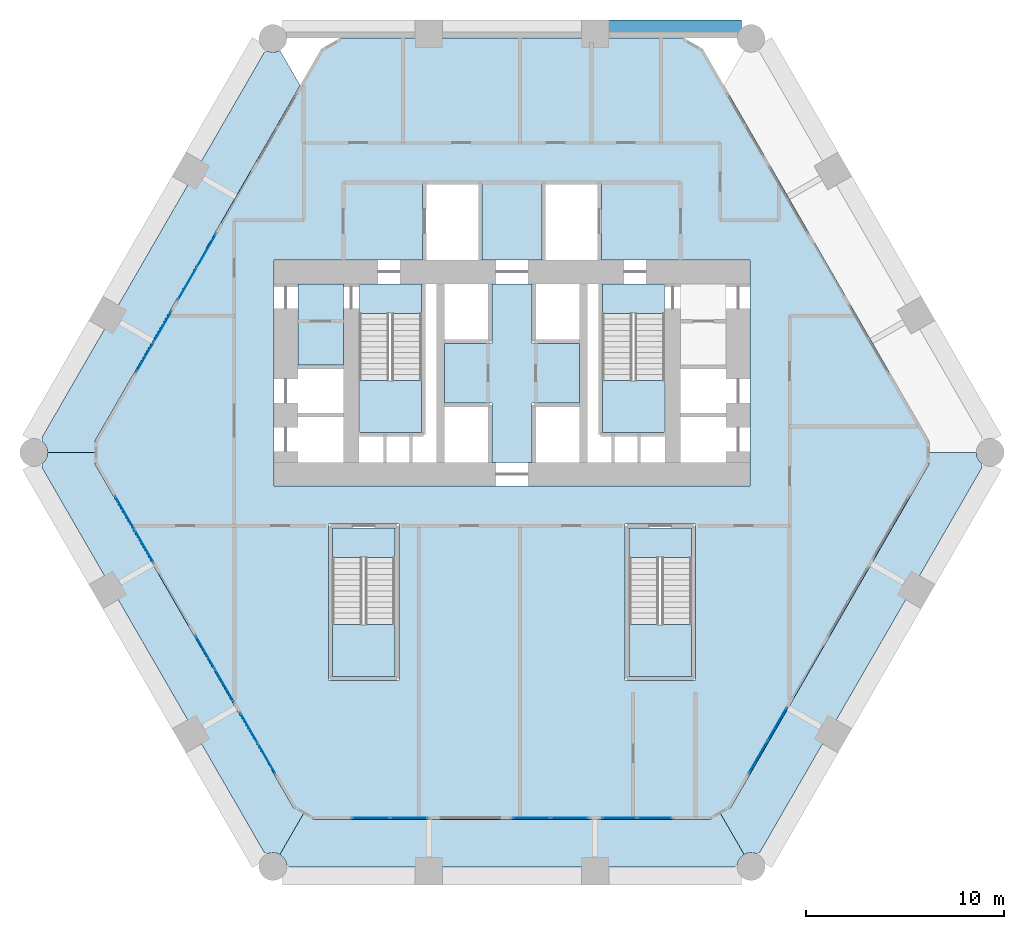
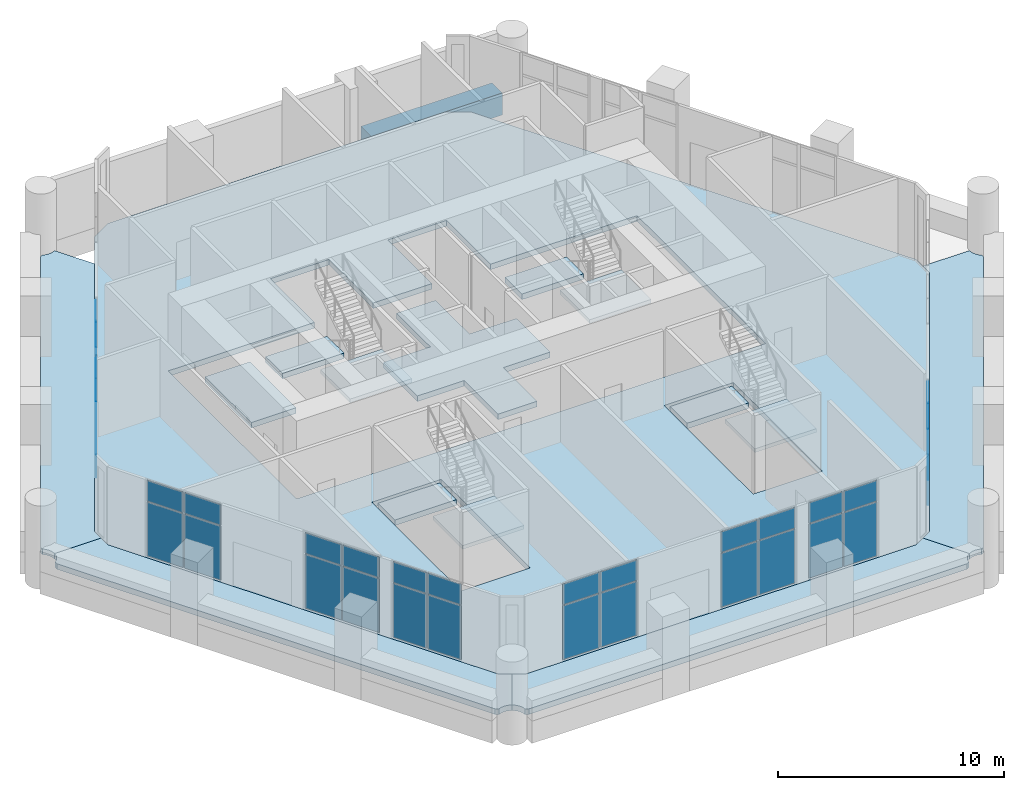
# One storey, part 12 of 18: 36 plates, 15 slabs, 1 beam, 13 elements without a shape of their own.
"""IFC4 building model written with IfcOpenShell, lengths in metres."""

import ifcopenshell
import ifcopenshell.guid

model = None  # the IFC model being written
_history = None  # IfcOwnerHistory: only IFC2X3 demands one
_inside = {}  # id of a spatial element -> (the spatial element, [elements in it])
_under = {}  # id of a project, library or spatial element -> (it, [spatial elements below it])
_declared = {}  # id of a project -> (the project, [libraries it declares])
_typed = {}  # id of a type object -> (the type object, [elements of that type])
_made_of = {}  # id of a material, layer set ... -> (it, [elements and type objects made of it])


def new_model(schema):
    """Start an empty IFC model of exactly this schema.

    Asked for "IFC4X3", IfcOpenShell would pick the latest addendum, in which some entities
    have other attributes; the version numbers below select the first issue.
    IFC2X3 requires an IfcOwnerHistory on every rooted entity: one is made here for all.
    """
    global model, _history
    if schema == "IFC4X3":
        model = ifcopenshell.file(schema_version=(4, 3, 0, 0))
    else:
        model = ifcopenshell.file(schema=schema)
    _inside.clear()
    _under.clear()
    _declared.clear()
    _typed.clear()
    _made_of.clear()
    _history = None
    if model.schema == "IFC2X3":
        org = make("IfcOrganization", Name="unknown")
        user = make(
            "IfcPersonAndOrganization",
            ThePerson=make("IfcPerson", FamilyName="unknown"),
            TheOrganization=org,
        )
        app = make(
            "IfcApplication",
            ApplicationDeveloper=org,
            Version="unknown",
            ApplicationFullName="unknown",
            ApplicationIdentifier="unknown",
        )
        _history = make(
            "IfcOwnerHistory",
            OwningUser=user,
            OwningApplication=app,
            ChangeAction="ADDED",
            CreationDate=0,
        )
    return model


def make(cls, **values):
    """One entity of the class cls with the attributes given. An attribute that is None is left unset."""
    return model.create_entity(
        cls, **{name: value for name, value in values.items() if value is not None}
    )


def rooted(cls, **values):
    """An entity with a GlobalId (a new one), such as an element, a storey or a relation."""
    return make(cls, GlobalId=ifcopenshell.guid.new(), OwnerHistory=_history, **values)


def si_unit(unit_type, name, prefix=None):
    """IfcSIUnit, for example si_unit("LENGTHUNIT", "METRE", prefix="MILLI")."""
    return make("IfcSIUnit", UnitType=unit_type, Prefix=prefix, Name=name)


def assignment(units):
    """IfcUnitAssignment: the units of a project."""
    return None if units is None else make("IfcUnitAssignment", Units=units)


def point(xyz):
    """IfcCartesianPoint."""
    return None if xyz is None else make("IfcCartesianPoint", Coordinates=xyz)


def direction(xyz):
    """IfcDirection."""
    return None if xyz is None else make("IfcDirection", DirectionRatios=xyz)


def frame(location, z_axis=None, x_axis=None):
    """IfcAxis2Placement3D, a coordinate frame: its origin and axes. An axis left out is left unset."""
    return make(
        "IfcAxis2Placement3D",
        Location=point(location),
        Axis=direction(z_axis),
        RefDirection=direction(x_axis),
    )


def frame_2d(location, x_axis=None):
    """IfcAxis2Placement2D, a coordinate frame in the plane: its origin and x axis."""
    return make(
        "IfcAxis2Placement2D", Location=point(location), RefDirection=direction(x_axis)
    )


def origin():
    """The frame at (0, 0, 0) with its axes left unset."""
    return frame((0.0, 0.0, 0.0))


def origin_2d():
    """The frame at (0, 0) in the plane with its x axis left unset."""
    return frame_2d((0.0, 0.0))


def place(relative_to, where):
    """IfcLocalPlacement: puts the frame where relative to a parent placement (None: the world)."""
    return make(
        "IfcLocalPlacement", PlacementRelTo=relative_to, RelativePlacement=where
    )


def context(
    kind, dimensions, precision=None, world=None, true_north=None, identifier=None
):
    """IfcGeometricRepresentationContext, for example the 3D "Model" context."""
    return make(
        "IfcGeometricRepresentationContext",
        ContextIdentifier=identifier,
        ContextType=kind,
        CoordinateSpaceDimension=dimensions,
        Precision=precision,
        WorldCoordinateSystem=world,
        TrueNorth=true_north,
    )


def subcontext(parent, identifier, kind, view, scale=None):
    """IfcGeometricRepresentationSubContext, for example "Body" below "Model"."""
    return make(
        "IfcGeometricRepresentationSubContext",
        ContextIdentifier=identifier,
        ContextType=kind,
        ParentContext=parent,
        TargetScale=scale,
        TargetView=view,
    )


def project(units=None, contexts=None):
    """IfcProject with its units and contexts."""
    return rooted(
        "IfcProject",
        Name="project",
        RepresentationContexts=contexts,
        UnitsInContext=assignment(units),
    )


def spatial(cls, under=None, at=None, **own):
    """A site, building, storey or space (cls), placed at a placement, below another one or the project."""
    s = rooted(cls, ObjectPlacement=at, **own)
    if under is not None:
        _under.setdefault(under.id(), (under, []))[1].append(s)
    return s


def polyline(points):
    """IfcPolyline through the points."""
    return make("IfcPolyline", Points=[point(p) for p in points])


def profile(cls, at=None, kind="AREA", **sizes):
    """A parametric profile (cls). Its sizes go by their IFC names, for example OverallWidth=200.0."""
    return make(cls, ProfileType=kind, Position=at, **sizes)


def rectangle(**sizes):
    """IfcRectangleProfileDef."""
    return profile("IfcRectangleProfileDef", **sizes)


def outline(outer, holes=None, kind="AREA"):
    """IfcArbitraryClosedProfileDef: a profile drawn as a closed curve; with holes, ...WithVoids."""
    if holes is None:
        return make("IfcArbitraryClosedProfileDef", ProfileType=kind, OuterCurve=outer)
    return make(
        "IfcArbitraryProfileDefWithVoids",
        ProfileType=kind,
        OuterCurve=outer,
        InnerCurves=holes,
    )


def extrude(swept, where, along, depth):
    """IfcExtrudedAreaSolid: the profile swept, set in the frame where, extruded along a direction by depth."""
    return make(
        "IfcExtrudedAreaSolid",
        SweptArea=swept,
        Position=where,
        ExtrudedDirection=direction(along),
        Depth=depth,
    )


def shape(context_of_items, identifier, shape_type, items):
    """IfcShapeRepresentation: the items that make up one representation, for example the "Body"."""
    return make(
        "IfcShapeRepresentation",
        ContextOfItems=context_of_items,
        RepresentationIdentifier=identifier,
        RepresentationType=shape_type,
        Items=items,
    )


def material(Name=None, Category=None):
    """IfcMaterial."""
    return make("IfcMaterial", Name=Name, Category=Category)


def layer(
    of_material, thickness, ventilated=None, Name=None, Category=None, Priority=None
):
    """IfcMaterialLayer: one layer of a wall or slab, of a material (None: an air gap)."""
    return make(
        "IfcMaterialLayer",
        Material=of_material,
        LayerThickness=thickness,
        IsVentilated=ventilated,
        Name=Name,
        Category=Category,
        Priority=Priority,
    )


def layer_set(layers, Name=None):
    """IfcMaterialLayerSet."""
    return make("IfcMaterialLayerSet", MaterialLayers=layers, LayerSetName=Name)


def material_profile(
    of_material, cross_section, Name=None, Category=None, Priority=None
):
    """IfcMaterialProfile: a cross section and its material."""
    return make(
        "IfcMaterialProfile",
        Name=Name,
        Material=of_material,
        Profile=cross_section,
        Priority=Priority,
        Category=Category,
    )


def profile_set(profiles, Name=None, composite=None):
    """IfcMaterialProfileSet."""
    return make(
        "IfcMaterialProfileSet",
        Name=Name,
        MaterialProfiles=profiles,
        CompositeProfile=composite,
    )


def made_of(thing, what):
    """Note that an element or type object is made of a material, layer set ...; save() writes the relation."""
    if what is not None:
        _made_of.setdefault(what.id(), (what, []))[1].append(thing)
    return thing


def type_object(cls, material=None, **own):
    """A type object (cls), such as IfcWallType, which elements share."""
    return made_of(rooted(cls, **own), material)


def element(
    cls,
    number,
    at=None,
    inside=None,
    cuts=None,
    type_object=None,
    material=None,
    context=None,
    identifier="Body",
    shape_type=None,
    held_by="IfcProductDefinitionShape",
    body=None,
    shapes=None,
    **own,
):
    """One element of the class cls, such as IfcWall. Its Tag is "e" and its number.

    at: its placement. inside: the storey or other place that contains it. cuts: it is an
    opening in that element (IfcRelVoidsElement). A single representation is given by context,
    identifier, shape_type and body (its items); several are given by shapes. held_by: the class
    of the entity that holds the representations. save() writes the other relations.
    """
    e = rooted(cls, Tag="e%d" % number, ObjectPlacement=at, **own)
    if body is not None:
        shapes = [shape(context, identifier, shape_type, body)]
    if shapes is not None:
        e.Representation = make(held_by, Representations=shapes)
    if inside is not None:
        _inside.setdefault(inside.id(), (inside, []))[1].append(e)
    if cuts is not None:
        rooted(
            "IfcRelVoidsElement", RelatingBuildingElement=cuts, RelatedOpeningElement=e
        )
    if type_object is not None:
        _typed.setdefault(type_object.id(), (type_object, []))[1].append(e)
    return made_of(e, material)


def aggregate(whole, parts):
    """IfcRelAggregates: a whole, such as a stair, and the parts it consists of."""
    return rooted("IfcRelAggregates", RelatingObject=whole, RelatedObjects=parts)


def save(model, path):
    """Write the relations noted so far, then the file.

    IfcRelAggregates (storeys below a building ...), IfcRelContainedInSpatialStructure (elements
    in a storey), IfcRelDefinesByType, IfcRelAssociatesMaterial and IfcRelDeclares: one each for
    every whole, place, type object, material and project.
    """
    for whole, parts in _under.values():
        aggregate(whole, parts)
    for where, things in _inside.values():
        rooted(
            "IfcRelContainedInSpatialStructure",
            RelatedElements=things,
            RelatingStructure=where,
        )
    for kind, things in _typed.values():
        rooted("IfcRelDefinesByType", RelatedObjects=things, RelatingType=kind)
    for what, things in _made_of.values():
        rooted("IfcRelAssociatesMaterial", RelatedObjects=things, RelatingMaterial=what)
    for by, libraries in _declared.values():
        rooted("IfcRelDeclares", RelatingContext=by, RelatedDefinitions=libraries)
    model.write(path)


model = new_model("IFC4")

# Units and contexts
model_context = context("Model", 3, precision=1e-05, world=origin(), true_north=direction((0.0, 1.0)))
body_context = subcontext(model_context, "Body", "Model", "MODEL_VIEW")
ifc_project = project(units=[si_unit("LENGTHUNIT", "METRE"), si_unit("AREAUNIT", "SQUARE_METRE"), si_unit("VOLUMEUNIT", "CUBIC_METRE"), si_unit("PLANEANGLEUNIT", "RADIAN"), si_unit("MASSUNIT", "GRAM", prefix="KILO")], contexts=[model_context])

# Site, building, storey
site_placement = place(None, origin())
site = spatial("IfcSite", under=ifc_project, at=site_placement, CompositionType="ELEMENT")
building_placement = place(site_placement, origin())
building = spatial("IfcBuilding", under=site, at=building_placement, Name="Ostrander Bayou Hotel Tower", CompositionType="ELEMENT")
storey_placement = place(building_placement, frame((0.0, 0.0, 14.5)))
storey = spatial("IfcBuildingStorey", under=building, at=storey_placement, Name="L03", CompositionType="ELEMENT", Elevation=14.5)

# Beam
ifc_material_1 = material(Name="Concrete f'c 70 MPa", Category="concrete")
ifc_material_profile = material_profile(ifc_material_1, rectangle(XDim=0.89990234375, YDim=1.199951171875, at=origin_2d()))
ifc_profile_set = profile_set([ifc_material_profile], Name="Concrete f'c 70 MPa")
beam_type = type_object("IfcBeamType", Name="SP1 spandrel beam 900 x 1200 mm f'c 70 MPa", PredefinedType="SPANDREL", material=ifc_profile_set)
beam_placement = place(storey_placement, frame((11.569091796875, 21.35009765625, -0.60009765625), z_axis=(-1.0, 0.0, 0.0), x_axis=(0.0, -1.0, 0.0)))
element("IfcBeam", 1, at=beam_placement, inside=storey, type_object=beam_type, Name="SP1 L03 N-1", PredefinedType="SPANDREL", context=body_context, shape_type="SweptSolid", body=[
    extrude(rectangle(XDim=0.89990234375, YDim=1.199951171875, at=origin_2d()), origin(), (0.0, 0.0, 1.0), 6.70361328125),
])

# Curtain wall, plates
ifc_material_2 = material(Name="Aluminium and clear glass", Category="aluminium")
curtain_wall_type = type_object("IfcCurtainWallType", Name="CW-SKY amenity glass wall", PredefinedType="NOTDEFINED", material=ifc_material_2)
curtain_wall_1_placement = place(storey_placement, origin())
curtain_wall_1 = element("IfcCurtainWall", 2, at=curtain_wall_1_placement, inside=storey, type_object=curtain_wall_type, Name="CW-SKY L03 NW 3", PredefinedType="NOTDEFINED")
ifc_material_3 = material(Name="Clear laminated glass", Category="glass")
ifc_layer_1 = layer(ifc_material_3, 0.028076171875)
ifc_layer_set_1 = layer_set([ifc_layer_1], Name="CW-SK glazing panel 28 mm")
plate_type = type_object("IfcPlateType", Name="CW-SK glazing panel 28 mm", PredefinedType="CURTAIN_PANEL", material=ifc_layer_set_1)
plate_1_placement = place(storey_placement, frame((-15.401611328125, 10.173828125, 0.06005859375), z_axis=(0.0, 0.0, 1.0), x_axis=(-0.499999897278, -0.866025463091, 0.0)))
plate_1 = element("IfcPlate", 3, at=plate_1_placement, type_object=plate_type, Name="CW-SKY panel 1.1", PredefinedType="CURTAIN_PANEL", context=body_context, shape_type="SweptSolid", body=[
    extrude(rectangle(XDim=1.860107421875, YDim=0.028076171875, at=origin_2d()), origin(), (0.0, 0.0, 1.0), 2.909912109375),
])
plate_2_placement = place(storey_placement, frame((-15.401611328125, 10.173828125, 3.02978515625), z_axis=(0.0, 0.0, 1.0), x_axis=(-0.499999897278, -0.866025463091, 0.0)))
plate_2 = element("IfcPlate", 4, at=plate_2_placement, type_object=plate_type, Name="CW-SKY panel 1.2", PredefinedType="CURTAIN_PANEL", context=body_context, shape_type="SweptSolid", body=[
    extrude(rectangle(XDim=1.860107421875, YDim=0.028076171875, at=origin_2d()), origin(), (0.0, 0.0, 1.0), 1.110107421875),
])
plate_3_placement = place(storey_placement, frame((-16.361572265625, 8.510986328125, 0.06005859375), z_axis=(0.0, 0.0, 1.0), x_axis=(-0.499999897278, -0.866025463091, 0.0)))
plate_3 = element("IfcPlate", 5, at=plate_3_placement, type_object=plate_type, Name="CW-SKY panel 2.1", PredefinedType="CURTAIN_PANEL", context=body_context, shape_type="SweptSolid", body=[
    extrude(rectangle(XDim=1.860107421875, YDim=0.028076171875, at=origin_2d()), origin(), (0.0, 0.0, 1.0), 2.909912109375),
])
plate_4_placement = place(storey_placement, frame((-16.361572265625, 8.510986328125, 3.02978515625), z_axis=(0.0, 0.0, 1.0), x_axis=(-0.499999897278, -0.866025463091, 0.0)))
plate_4 = element("IfcPlate", 6, at=plate_4_placement, type_object=plate_type, Name="CW-SKY panel 2.2", PredefinedType="CURTAIN_PANEL", context=body_context, shape_type="SweptSolid", body=[
    extrude(rectangle(XDim=1.860107421875, YDim=0.028076171875, at=origin_2d()), origin(), (0.0, 0.0, 1.0), 1.110107421875),
])
aggregate(curtain_wall_1, [plate_1, plate_2, plate_3, plate_4])

curtain_wall_2_placement = place(storey_placement, origin())
curtain_wall_2 = element("IfcCurtainWall", 7, at=curtain_wall_2_placement, inside=storey, type_object=curtain_wall_type, Name="CW-SKY L03 NW 4", PredefinedType="NOTDEFINED")
plate_5_placement = place(storey_placement, frame((-17.614013671875, 6.341552734375, 0.06005859375), z_axis=(0.0, 0.0, 1.0), x_axis=(-0.499998972029, -0.866025997283, 0.0)))
plate_5 = element("IfcPlate", 8, at=plate_5_placement, type_object=plate_type, Name="CW-SKY panel 1.1", PredefinedType="CURTAIN_PANEL", context=body_context, shape_type="SweptSolid", body=[
    extrude(rectangle(XDim=1.7099609375, YDim=0.028076171875, at=origin_2d()), origin(), (0.0, 0.0, 1.0), 2.909912109375),
])
plate_6_placement = place(storey_placement, frame((-17.614013671875, 6.341552734375, 3.02978515625), z_axis=(0.0, 0.0, 1.0), x_axis=(-0.499998972029, -0.866025997283, 0.0)))
plate_6 = element("IfcPlate", 9, at=plate_6_placement, type_object=plate_type, Name="CW-SKY panel 1.2", PredefinedType="CURTAIN_PANEL", context=body_context, shape_type="SweptSolid", body=[
    extrude(rectangle(XDim=1.7099609375, YDim=0.028076171875, at=origin_2d()), origin(), (0.0, 0.0, 1.0), 1.110107421875),
])
plate_7_placement = place(storey_placement, frame((-18.4990234375, 4.80859375, 0.06005859375), z_axis=(0.0, 0.0, 1.0), x_axis=(-0.499998972029, -0.866025997283, 0.0)))
plate_7 = element("IfcPlate", 10, at=plate_7_placement, type_object=plate_type, Name="CW-SKY panel 2.1", PredefinedType="CURTAIN_PANEL", context=body_context, shape_type="SweptSolid", body=[
    extrude(rectangle(XDim=1.7099609375, YDim=0.028076171875, at=origin_2d()), origin(), (0.0, 0.0, 1.0), 2.909912109375),
])
plate_8_placement = place(storey_placement, frame((-18.4990234375, 4.80859375, 3.02978515625), z_axis=(0.0, 0.0, 1.0), x_axis=(-0.499998972029, -0.866025997283, 0.0)))
plate_8 = element("IfcPlate", 11, at=plate_8_placement, type_object=plate_type, Name="CW-SKY panel 2.2", PredefinedType="CURTAIN_PANEL", context=body_context, shape_type="SweptSolid", body=[
    extrude(rectangle(XDim=1.7099609375, YDim=0.028076171875, at=origin_2d()), origin(), (0.0, 0.0, 1.0), 1.110107421875),
])
aggregate(curtain_wall_2, [plate_5, plate_6, plate_7, plate_8])

curtain_wall_3_placement = place(storey_placement, origin())
curtain_wall_3 = element("IfcCurtainWall", 12, at=curtain_wall_3_placement, inside=storey, type_object=curtain_wall_type, Name="CW-SKY L03 SW 1", PredefinedType="NOTDEFINED")
plate_9_placement = place(storey_placement, frame((-19.511474609375, -3.05517578125, 0.06005859375), z_axis=(0.0, 0.0, 1.0), x_axis=(0.499999897278, -0.866025463091, 0.0)))
plate_9 = element("IfcPlate", 13, at=plate_9_placement, type_object=plate_type, Name="CW-SKY panel 1.1", PredefinedType="CURTAIN_PANEL", context=body_context, shape_type="SweptSolid", body=[
    extrude(rectangle(XDim=1.860107421875, YDim=0.028076171875, at=origin_2d()), origin(), (0.0, 0.0, 1.0), 2.909912109375),
])
plate_10_placement = place(storey_placement, frame((-19.511474609375, -3.05517578125, 3.02978515625), z_axis=(0.0, 0.0, 1.0), x_axis=(0.499999897278, -0.866025463091, 0.0)))
plate_10 = element("IfcPlate", 14, at=plate_10_placement, type_object=plate_type, Name="CW-SKY panel 1.2", PredefinedType="CURTAIN_PANEL", context=body_context, shape_type="SweptSolid", body=[
    extrude(rectangle(XDim=1.860107421875, YDim=0.028076171875, at=origin_2d()), origin(), (0.0, 0.0, 1.0), 1.110107421875),
])
plate_11_placement = place(storey_placement, frame((-18.551513671875, -4.7177734375, 0.06005859375), z_axis=(0.0, 0.0, 1.0), x_axis=(0.499999897278, -0.866025463091, 0.0)))
plate_11 = element("IfcPlate", 15, at=plate_11_placement, type_object=plate_type, Name="CW-SKY panel 2.1", PredefinedType="CURTAIN_PANEL", context=body_context, shape_type="SweptSolid", body=[
    extrude(rectangle(XDim=1.860107421875, YDim=0.028076171875, at=origin_2d()), origin(), (0.0, 0.0, 1.0), 2.909912109375),
])
plate_12_placement = place(storey_placement, frame((-18.551513671875, -4.7177734375, 3.02978515625), z_axis=(0.0, 0.0, 1.0), x_axis=(0.499999897278, -0.866025463091, 0.0)))
plate_12 = element("IfcPlate", 16, at=plate_12_placement, type_object=plate_type, Name="CW-SKY panel 2.2", PredefinedType="CURTAIN_PANEL", context=body_context, shape_type="SweptSolid", body=[
    extrude(rectangle(XDim=1.860107421875, YDim=0.028076171875, at=origin_2d()), origin(), (0.0, 0.0, 1.0), 1.110107421875),
])
aggregate(curtain_wall_3, [plate_9, plate_10, plate_11, plate_12])

curtain_wall_4_placement = place(storey_placement, origin())
curtain_wall_4 = element("IfcCurtainWall", 17, at=curtain_wall_4_placement, inside=storey, type_object=curtain_wall_type, Name="CW-SKY L03 SW 3", PredefinedType="NOTDEFINED")
plate_13_placement = place(storey_placement, frame((-15.46142578125, -10.06982421875, 0.06005859375), z_axis=(0.0, 0.0, 1.0), x_axis=(0.499999897278, -0.866025463091, 0.0)))
plate_13 = element("IfcPlate", 18, at=plate_13_placement, type_object=plate_type, Name="CW-SKY panel 1.1", PredefinedType="CURTAIN_PANEL", context=body_context, shape_type="SweptSolid", body=[
    extrude(rectangle(XDim=1.860107421875, YDim=0.028076171875, at=origin_2d()), origin(), (0.0, 0.0, 1.0), 2.909912109375),
])
plate_14_placement = place(storey_placement, frame((-15.46142578125, -10.06982421875, 3.02978515625), z_axis=(0.0, 0.0, 1.0), x_axis=(0.499999897278, -0.866025463091, 0.0)))
plate_14 = element("IfcPlate", 19, at=plate_14_placement, type_object=plate_type, Name="CW-SKY panel 1.2", PredefinedType="CURTAIN_PANEL", context=body_context, shape_type="SweptSolid", body=[
    extrude(rectangle(XDim=1.860107421875, YDim=0.028076171875, at=origin_2d()), origin(), (0.0, 0.0, 1.0), 1.110107421875),
])
plate_15_placement = place(storey_placement, frame((-14.50146484375, -11.732666015625, 0.06005859375), z_axis=(0.0, 0.0, 1.0), x_axis=(0.499999897278, -0.866025463091, 0.0)))
plate_15 = element("IfcPlate", 20, at=plate_15_placement, type_object=plate_type, Name="CW-SKY panel 2.1", PredefinedType="CURTAIN_PANEL", context=body_context, shape_type="SweptSolid", body=[
    extrude(rectangle(XDim=1.860107421875, YDim=0.028076171875, at=origin_2d()), origin(), (0.0, 0.0, 1.0), 2.909912109375),
])
plate_16_placement = place(storey_placement, frame((-14.50146484375, -11.732666015625, 3.02978515625), z_axis=(0.0, 0.0, 1.0), x_axis=(0.499999897278, -0.866025463091, 0.0)))
plate_16 = element("IfcPlate", 21, at=plate_16_placement, type_object=plate_type, Name="CW-SKY panel 2.2", PredefinedType="CURTAIN_PANEL", context=body_context, shape_type="SweptSolid", body=[
    extrude(rectangle(XDim=1.860107421875, YDim=0.028076171875, at=origin_2d()), origin(), (0.0, 0.0, 1.0), 1.110107421875),
])
aggregate(curtain_wall_4, [plate_13, plate_14, plate_15, plate_16])

curtain_wall_5_placement = place(storey_placement, origin())
curtain_wall_5 = element("IfcCurtainWall", 22, at=curtain_wall_5_placement, inside=storey, type_object=curtain_wall_type, Name="CW-SKY L03 SW 4", PredefinedType="NOTDEFINED")
plate_17_placement = place(storey_placement, frame((-13.2490234375, -13.902099609375, 0.06005859375), z_axis=(0.0, 0.0, 1.0), x_axis=(0.499998972029, -0.866025997283, 0.0)))
plate_17 = element("IfcPlate", 23, at=plate_17_placement, type_object=plate_type, Name="CW-SKY panel 1.1", PredefinedType="CURTAIN_PANEL", context=body_context, shape_type="SweptSolid", body=[
    extrude(rectangle(XDim=1.7099609375, YDim=0.028076171875, at=origin_2d()), origin(), (0.0, 0.0, 1.0), 2.909912109375),
])
plate_18_placement = place(storey_placement, frame((-13.2490234375, -13.902099609375, 3.02978515625), z_axis=(0.0, 0.0, 1.0), x_axis=(0.499998972029, -0.866025997283, 0.0)))
plate_18 = element("IfcPlate", 24, at=plate_18_placement, type_object=plate_type, Name="CW-SKY panel 1.2", PredefinedType="CURTAIN_PANEL", context=body_context, shape_type="SweptSolid", body=[
    extrude(rectangle(XDim=1.7099609375, YDim=0.028076171875, at=origin_2d()), origin(), (0.0, 0.0, 1.0), 1.110107421875),
])
plate_19_placement = place(storey_placement, frame((-12.364013671875, -15.434814453125, 0.06005859375), z_axis=(0.0, 0.0, 1.0), x_axis=(0.499998972029, -0.866025997283, 0.0)))
plate_19 = element("IfcPlate", 25, at=plate_19_placement, type_object=plate_type, Name="CW-SKY panel 2.1", PredefinedType="CURTAIN_PANEL", context=body_context, shape_type="SweptSolid", body=[
    extrude(rectangle(XDim=1.7099609375, YDim=0.028076171875, at=origin_2d()), origin(), (0.0, 0.0, 1.0), 2.909912109375),
])
plate_20_placement = place(storey_placement, frame((-12.364013671875, -15.434814453125, 3.02978515625), z_axis=(0.0, 0.0, 1.0), x_axis=(0.499998972029, -0.866025997283, 0.0)))
plate_20 = element("IfcPlate", 26, at=plate_20_placement, type_object=plate_type, Name="CW-SKY panel 2.2", PredefinedType="CURTAIN_PANEL", context=body_context, shape_type="SweptSolid", body=[
    extrude(rectangle(XDim=1.7099609375, YDim=0.028076171875, at=origin_2d()), origin(), (0.0, 0.0, 1.0), 1.110107421875),
])
aggregate(curtain_wall_5, [plate_17, plate_18, plate_19, plate_20])

curtain_wall_6_placement = place(storey_placement, origin())
curtain_wall_6 = element("IfcCurtainWall", 27, at=curtain_wall_6_placement, inside=storey, type_object=curtain_wall_type, Name="CW-SKY L03 S 1", PredefinedType="NOTDEFINED")
plate_21_placement = place(storey_placement, frame((-7.110107421875, -18.425048828125, 0.06005859375), z_axis=(0.0, 0.0, 1.0), x_axis=(1.0, 0.0, 0.0)))
plate_21 = element("IfcPlate", 28, at=plate_21_placement, type_object=plate_type, Name="CW-SKY panel 1.1", PredefinedType="CURTAIN_PANEL", context=body_context, shape_type="SweptSolid", body=[
    extrude(rectangle(XDim=1.860107421875, YDim=0.028076171875, at=origin_2d()), origin(), (0.0, 0.0, 1.0), 2.909912109375),
])
plate_22_placement = place(storey_placement, frame((-7.110107421875, -18.425048828125, 3.02978515625), z_axis=(0.0, 0.0, 1.0), x_axis=(1.0, 0.0, 0.0)))
plate_22 = element("IfcPlate", 29, at=plate_22_placement, type_object=plate_type, Name="CW-SKY panel 1.2", PredefinedType="CURTAIN_PANEL", context=body_context, shape_type="SweptSolid", body=[
    extrude(rectangle(XDim=1.860107421875, YDim=0.028076171875, at=origin_2d()), origin(), (0.0, 0.0, 1.0), 1.110107421875),
])
plate_23_placement = place(storey_placement, frame((-5.18994140625, -18.425048828125, 0.06005859375), z_axis=(0.0, 0.0, 1.0), x_axis=(1.0, 0.0, 0.0)))
plate_23 = element("IfcPlate", 30, at=plate_23_placement, type_object=plate_type, Name="CW-SKY panel 2.1", PredefinedType="CURTAIN_PANEL", context=body_context, shape_type="SweptSolid", body=[
    extrude(rectangle(XDim=1.860107421875, YDim=0.028076171875, at=origin_2d()), origin(), (0.0, 0.0, 1.0), 2.909912109375),
])
plate_24_placement = place(storey_placement, frame((-5.18994140625, -18.425048828125, 3.02978515625), z_axis=(0.0, 0.0, 1.0), x_axis=(1.0, 0.0, 0.0)))
plate_24 = element("IfcPlate", 31, at=plate_24_placement, type_object=plate_type, Name="CW-SKY panel 2.2", PredefinedType="CURTAIN_PANEL", context=body_context, shape_type="SweptSolid", body=[
    extrude(rectangle(XDim=1.860107421875, YDim=0.028076171875, at=origin_2d()), origin(), (0.0, 0.0, 1.0), 1.110107421875),
])
aggregate(curtain_wall_6, [plate_21, plate_22, plate_23, plate_24])

curtain_wall_7_placement = place(storey_placement, origin())
curtain_wall_7 = element("IfcCurtainWall", 32, at=curtain_wall_7_placement, inside=storey, type_object=curtain_wall_type, Name="CW-SKY L03 S 3", PredefinedType="NOTDEFINED")
plate_25_placement = place(storey_placement, frame((0.989990234375, -18.425048828125, 0.06005859375), z_axis=(0.0, 0.0, 1.0), x_axis=(1.0, 0.0, 0.0)))
plate_25 = element("IfcPlate", 33, at=plate_25_placement, type_object=plate_type, Name="CW-SKY panel 1.1", PredefinedType="CURTAIN_PANEL", context=body_context, shape_type="SweptSolid", body=[
    extrude(rectangle(XDim=1.860107421875, YDim=0.028076171875, at=origin_2d()), origin(), (0.0, 0.0, 1.0), 2.909912109375),
])
plate_26_placement = place(storey_placement, frame((0.989990234375, -18.425048828125, 3.02978515625), z_axis=(0.0, 0.0, 1.0), x_axis=(1.0, 0.0, 0.0)))
plate_26 = element("IfcPlate", 34, at=plate_26_placement, type_object=plate_type, Name="CW-SKY panel 1.2", PredefinedType="CURTAIN_PANEL", context=body_context, shape_type="SweptSolid", body=[
    extrude(rectangle(XDim=1.860107421875, YDim=0.028076171875, at=origin_2d()), origin(), (0.0, 0.0, 1.0), 1.110107421875),
])
plate_27_placement = place(storey_placement, frame((2.909912109375, -18.425048828125, 0.06005859375), z_axis=(0.0, 0.0, 1.0), x_axis=(1.0, 0.0, 0.0)))
plate_27 = element("IfcPlate", 35, at=plate_27_placement, type_object=plate_type, Name="CW-SKY panel 2.1", PredefinedType="CURTAIN_PANEL", context=body_context, shape_type="SweptSolid", body=[
    extrude(rectangle(XDim=1.860107421875, YDim=0.028076171875, at=origin_2d()), origin(), (0.0, 0.0, 1.0), 2.909912109375),
])
plate_28_placement = place(storey_placement, frame((2.909912109375, -18.425048828125, 3.02978515625), z_axis=(0.0, 0.0, 1.0), x_axis=(1.0, 0.0, 0.0)))
plate_28 = element("IfcPlate", 36, at=plate_28_placement, type_object=plate_type, Name="CW-SKY panel 2.2", PredefinedType="CURTAIN_PANEL", context=body_context, shape_type="SweptSolid", body=[
    extrude(rectangle(XDim=1.860107421875, YDim=0.028076171875, at=origin_2d()), origin(), (0.0, 0.0, 1.0), 1.110107421875),
])
aggregate(curtain_wall_7, [plate_25, plate_26, plate_27, plate_28])

curtain_wall_8_placement = place(storey_placement, origin())
curtain_wall_8 = element("IfcCurtainWall", 37, at=curtain_wall_8_placement, inside=storey, type_object=curtain_wall_type, Name="CW-SKY L03 S 4", PredefinedType="NOTDEFINED")
plate_29_placement = place(storey_placement, frame((5.4150390625, -18.425048828125, 0.06005859375), z_axis=(0.0, 0.0, 1.0), x_axis=(1.0, 0.0, 0.0)))
plate_29 = element("IfcPlate", 38, at=plate_29_placement, type_object=plate_type, Name="CW-SKY panel 1.1", PredefinedType="CURTAIN_PANEL", context=body_context, shape_type="SweptSolid", body=[
    extrude(rectangle(XDim=1.7099609375, YDim=0.028076171875, at=origin_2d()), origin(), (0.0, 0.0, 1.0), 2.909912109375),
])
plate_30_placement = place(storey_placement, frame((5.4150390625, -18.425048828125, 3.02978515625), z_axis=(0.0, 0.0, 1.0), x_axis=(1.0, 0.0, 0.0)))
plate_30 = element("IfcPlate", 39, at=plate_30_placement, type_object=plate_type, Name="CW-SKY panel 1.2", PredefinedType="CURTAIN_PANEL", context=body_context, shape_type="SweptSolid", body=[
    extrude(rectangle(XDim=1.7099609375, YDim=0.028076171875, at=origin_2d()), origin(), (0.0, 0.0, 1.0), 1.110107421875),
])
plate_31_placement = place(storey_placement, frame((7.18505859375, -18.425048828125, 0.06005859375), z_axis=(0.0, 0.0, 1.0), x_axis=(1.0, 0.0, 0.0)))
plate_31 = element("IfcPlate", 40, at=plate_31_placement, type_object=plate_type, Name="CW-SKY panel 2.1", PredefinedType="CURTAIN_PANEL", context=body_context, shape_type="SweptSolid", body=[
    extrude(rectangle(XDim=1.7099609375, YDim=0.028076171875, at=origin_2d()), origin(), (0.0, 0.0, 1.0), 2.909912109375),
])
plate_32_placement = place(storey_placement, frame((7.18505859375, -18.425048828125, 3.02978515625), z_axis=(0.0, 0.0, 1.0), x_axis=(1.0, 0.0, 0.0)))
plate_32 = element("IfcPlate", 41, at=plate_32_placement, type_object=plate_type, Name="CW-SKY panel 2.2", PredefinedType="CURTAIN_PANEL", context=body_context, shape_type="SweptSolid", body=[
    extrude(rectangle(XDim=1.7099609375, YDim=0.028076171875, at=origin_2d()), origin(), (0.0, 0.0, 1.0), 1.110107421875),
])
aggregate(curtain_wall_8, [plate_29, plate_30, plate_31, plate_32])

curtain_wall_9_placement = place(storey_placement, origin())
curtain_wall_9 = element("IfcCurtainWall", 42, at=curtain_wall_9_placement, inside=storey, type_object=curtain_wall_type, Name="CW-SKY L03 SE 1", PredefinedType="NOTDEFINED")
plate_33_placement = place(storey_placement, frame((12.401611328125, -15.369873046875, 0.06005859375), z_axis=(0.0, 0.0, 1.0), x_axis=(0.499999897278, 0.866025463091, 0.0)))
plate_33 = element("IfcPlate", 43, at=plate_33_placement, type_object=plate_type, Name="CW-SKY panel 1.1", PredefinedType="CURTAIN_PANEL", context=body_context, shape_type="SweptSolid", body=[
    extrude(rectangle(XDim=1.860107421875, YDim=0.028076171875, at=origin_2d()), origin(), (0.0, 0.0, 1.0), 2.909912109375),
])
plate_34_placement = place(storey_placement, frame((12.401611328125, -15.369873046875, 3.02978515625), z_axis=(0.0, 0.0, 1.0), x_axis=(0.499999897278, 0.866025463091, 0.0)))
plate_34 = element("IfcPlate", 44, at=plate_34_placement, type_object=plate_type, Name="CW-SKY panel 1.2", PredefinedType="CURTAIN_PANEL", context=body_context, shape_type="SweptSolid", body=[
    extrude(rectangle(XDim=1.860107421875, YDim=0.028076171875, at=origin_2d()), origin(), (0.0, 0.0, 1.0), 1.110107421875),
])
plate_35_placement = place(storey_placement, frame((13.361572265625, -13.707275390625, 0.06005859375), z_axis=(0.0, 0.0, 1.0), x_axis=(0.499999897278, 0.866025463091, 0.0)))
plate_35 = element("IfcPlate", 45, at=plate_35_placement, type_object=plate_type, Name="CW-SKY panel 2.1", PredefinedType="CURTAIN_PANEL", context=body_context, shape_type="SweptSolid", body=[
    extrude(rectangle(XDim=1.860107421875, YDim=0.028076171875, at=origin_2d()), origin(), (0.0, 0.0, 1.0), 2.909912109375),
])
plate_36_placement = place(storey_placement, frame((13.361572265625, -13.707275390625, 3.02978515625), z_axis=(0.0, 0.0, 1.0), x_axis=(0.499999897278, 0.866025463091, 0.0)))
plate_36 = element("IfcPlate", 46, at=plate_36_placement, type_object=plate_type, Name="CW-SKY panel 2.2", PredefinedType="CURTAIN_PANEL", context=body_context, shape_type="SweptSolid", body=[
    extrude(rectangle(XDim=1.860107421875, YDim=0.028076171875, at=origin_2d()), origin(), (0.0, 0.0, 1.0), 1.110107421875),
])
aggregate(curtain_wall_9, [plate_33, plate_34, plate_35, plate_36])

# Slabs
ifc_material_4 = material(Name="Concrete f'c 40 MPa", Category="concrete")
ifc_layer_2 = layer(ifc_material_4, 0.300048828125)
ifc_layer_set_2 = layer_set([ifc_layer_2], Name="SL1 floor slab 300 mm f'c 40 MPa")
slab_type_1 = type_object("IfcSlabType", Name="SL1 floor slab 300 mm f'c 40 MPa", PredefinedType="FLOOR", material=ifc_layer_set_2)
slab_1_placement = place(storey_placement, frame((0.0, 0.0, -0.300048828125)))
element("IfcSlab", 47, at=slab_1_placement, inside=storey, type_object=slab_type_1, Name="SL1 L03 1", PredefinedType="FLOOR", context=body_context, shape_type="SweptSolid", body=[
    extrude(outline(polyline([(-3.525390625, 20.89990234375), (3.525390625, 20.89990234375), (4.865478515625, 20.89990234375), (8.6025390625, 20.89990234375), (9.6416015625, 20.300048828125), (21.015380859375, 0.60009765625), (21.015380859375, -0.60009765625), (11.02734375, -17.89990234375), (9.98828125, -18.5), (-9.98828125, -18.5), (-11.02734375, -17.89990234375), (-21.015380859375, -0.60009765625), (-21.015380859375, 0.60009765625), (-9.6416015625, 20.300048828125), (-8.6025390625, 20.89990234375), (-4.865478515625, 20.89990234375), (-3.525390625, 20.89990234375)]), holes=[polyline([(-12.0, -1.699951171875), (12.0, -1.699951171875), (12.0, 9.699951171875), (4.5, 9.699951171875), (4.5, 13.60009765625), (1.5, 13.60009765625), (1.5, 9.699951171875), (-1.5, 9.699951171875), (-1.5, 13.60009765625), (-4.5, 13.60009765625), (-4.5, 9.699951171875), (-12.0, 9.699951171875), (-12.0, -1.699951171875)]), polyline([(9.25, -3.60009765625), (5.699951171875, -3.60009765625), (5.699951171875, -11.5), (9.25, -11.5), (9.25, -3.60009765625)]), polyline([(-5.699951171875, -3.60009765625), (-9.25, -3.60009765625), (-9.25, -11.5), (-5.699951171875, -11.5), (-5.699951171875, -3.60009765625)])]), origin(), (0.0, 0.0, 1.0), 0.300048828125),
])
slab_2_placement = place(storey_placement, frame((0.0, 0.0, -0.300048828125)))
element("IfcSlab", 48, at=slab_2_placement, inside=storey, type_object=slab_type_1, Name="cslab:L03:001", PredefinedType="FLOOR", context=body_context, shape_type="SweptSolid", body=[
    extrude(outline(polyline([(-3.39990234375, 5.5), (-1.0, 5.5), (-1.0, 8.5), (1.0, 8.5), (1.0, 5.5), (3.39990234375, 5.5), (3.39990234375, 2.5), (1.0, 2.5), (1.0, -0.5), (-1.0, -0.5), (-1.0, 2.5), (-3.39990234375, 2.5), (-3.39990234375, 5.5)])), origin(), (0.0, 0.0, 1.0), 0.300048828125),
])
slab_3_placement = place(storey_placement, frame((0.0, 0.0, -0.300048828125)))
element("IfcSlab", 49, at=slab_3_placement, inside=storey, type_object=slab_type_1, Name="cslab:L03:002", PredefinedType="FLOOR", context=body_context, shape_type="SweptSolid", body=[
    extrude(outline(polyline([(-8.5, 4.39990234375), (-8.5, 8.5), (-10.800048828125, 8.5), (-10.800048828125, 4.39990234375), (-8.5, 4.39990234375)])), origin(), (0.0, 0.0, 1.0), 0.300048828125),
])
slab_4_placement = place(storey_placement, frame((0.0, 0.0, -0.300048828125)))
element("IfcSlab", 50, at=slab_4_placement, inside=storey, type_object=slab_type_1, Name="cslab:L03:004", PredefinedType="FLOOR", context=body_context, shape_type="SweptSolid", body=[
    extrude(outline(polyline([(-4.550048828125, 7.0), (-4.550048828125, 8.5), (-7.699951171875, 8.5), (-7.699951171875, 7.0), (-4.550048828125, 7.0)])), origin(), (0.0, 0.0, 1.0), 0.300048828125),
])
slab_5_placement = place(storey_placement, frame((0.0, 0.0, -0.300048828125)))
element("IfcSlab", 51, at=slab_5_placement, inside=storey, type_object=slab_type_1, Name="cslab:L03:005", PredefinedType="FLOOR", context=body_context, shape_type="SweptSolid", body=[
    extrude(outline(polyline([(7.699951171875, 7.0), (7.699951171875, 8.5), (4.550048828125, 8.5), (4.550048828125, 7.0), (7.699951171875, 7.0)])), origin(), (0.0, 0.0, 1.0), 0.300048828125),
])
slab_6_placement = place(storey_placement, frame((0.0, 0.0, -0.300048828125)))
element("IfcSlab", 52, at=slab_6_placement, inside=storey, type_object=slab_type_1, Name="cslab:L03:006", PredefinedType="FLOOR", context=body_context, shape_type="SweptSolid", body=[
    extrude(outline(polyline([(9.050048828125, -5.300048828125), (9.050048828125, -3.800048828125), (5.89990234375, -3.800048828125), (5.89990234375, -5.300048828125), (9.050048828125, -5.300048828125)])), origin(), (0.0, 0.0, 1.0), 0.300048828125),
])
slab_7_placement = place(storey_placement, frame((0.0, 0.0, -0.300048828125)))
element("IfcSlab", 53, at=slab_7_placement, inside=storey, type_object=slab_type_1, Name="cslab:L03:007", PredefinedType="FLOOR", context=body_context, shape_type="SweptSolid", body=[
    extrude(outline(polyline([(-5.89990234375, -5.300048828125), (-5.89990234375, -3.800048828125), (-9.050048828125, -3.800048828125), (-9.050048828125, -5.300048828125), (-5.89990234375, -5.300048828125)])), origin(), (0.0, 0.0, 1.0), 0.300048828125),
])
ifc_material_5 = material(Name="Concrete f'c 40 MPa", Category="concrete")
ifc_layer_3 = layer(ifc_material_5, 0.300048828125)
ifc_layer_set_3 = layer_set([ifc_layer_3], Name="SL4 loggia slab 300 mm f'c 40 MPa")
slab_type_2 = type_object("IfcSlabType", Name="SL4 loggia slab 300 mm f'c 40 MPa", PredefinedType="FLOOR", material=ifc_layer_set_3)
slab_8_placement = place(storey_placement, frame((0.0, 0.0, -0.300048828125)))
element("IfcSlab", 54, at=slab_8_placement, inside=storey, type_object=slab_type_2, Name="SL4 LOGGIA L03 NW 1", PredefinedType="FLOOR", context=body_context, shape_type="SweptSolid", body=[
    extrude(outline(polyline([(-23.401123046875, 0.0), (-23.41455078125, 0.13671875), (-23.45458984375, 0.267822265625), (-23.519287109375, 0.388916015625), (-23.606201171875, 0.4951171875), (-23.7001953125, 0.572021484375), (-23.7001953125, 0.75), (-20.53271484375, 6.236328125), (-19.862548828125, 7.39697265625), (-16.337158203125, 13.503173828125), (-15.667236328125, 14.66357421875), (-12.49951171875, 20.14990234375), (-12.344482421875, 20.239501953125), (-12.318603515625, 20.2255859375), (-12.187255859375, 20.185791015625), (-12.050537109375, 20.172119140625), (-11.9140625, 20.185791015625), (-11.78271484375, 20.2255859375), (-11.7021484375, 20.2685546875), (-10.680908203125, 18.5), (-21.015380859375, 0.60009765625), (-21.015380859375, 0.0), (-23.401123046875, 0.0)])), origin(), (0.0, 0.0, 1.0), 0.300048828125),
])
slab_9_placement = place(storey_placement, frame((0.0, 0.0, -0.300048828125)))
element("IfcSlab", 55, at=slab_9_placement, inside=storey, type_object=slab_type_2, Name="SL4 LOGGIA L03 SW 1", PredefinedType="FLOOR", context=body_context, shape_type="SweptSolid", body=[
    extrude(outline(polyline([(-10.5078125, -18.199951171875), (-11.7021484375, -20.2685546875), (-11.78271484375, -20.2255859375), (-11.9140625, -20.185791015625), (-12.050537109375, -20.172119140625), (-12.187255859375, -20.185791015625), (-12.318603515625, -20.2255859375), (-12.344482421875, -20.239501953125), (-12.49951171875, -20.14990234375), (-15.667236328125, -14.66357421875), (-16.337158203125, -13.503173828125), (-19.862548828125, -7.39697265625), (-20.53271484375, -6.236328125), (-23.505126953125, -1.087890625), (-23.7001953125, -0.75), (-23.7001953125, -0.572021484375), (-23.606201171875, -0.4951171875), (-23.519287109375, -0.388916015625), (-23.45458984375, -0.267822265625), (-23.41455078125, -0.13671875), (-23.401123046875, 0.0), (-21.015380859375, 0.0), (-21.015380859375, -0.60009765625), (-11.02734375, -17.89990234375), (-10.5078125, -18.199951171875)])), origin(), (0.0, 0.0, 1.0), 0.300048828125),
])
slab_10_placement = place(storey_placement, frame((0.0, 0.0, -0.300048828125)))
element("IfcSlab", 56, at=slab_10_placement, inside=storey, type_object=slab_type_2, Name="SL4 LOGGIA L03 S 1", PredefinedType="FLOOR", context=body_context, shape_type="SweptSolid", body=[
    extrude(outline(polyline([(10.5078125, -18.199951171875), (11.7021484375, -20.2685546875), (11.66162109375, -20.290283203125), (11.5556640625, -20.377197265625), (11.468505859375, -20.4833984375), (11.40380859375, -20.6044921875), (11.364013671875, -20.735595703125), (11.356689453125, -20.809814453125), (11.20068359375, -20.89990234375), (4.865478515625, -20.89990234375), (3.525390625, -20.89990234375), (-3.525390625, -20.89990234375), (-4.865478515625, -20.89990234375), (-11.20068359375, -20.89990234375), (-11.356689453125, -20.809814453125), (-11.364013671875, -20.735595703125), (-11.40380859375, -20.6044921875), (-11.468505859375, -20.4833984375), (-11.5556640625, -20.377197265625), (-11.66162109375, -20.290283203125), (-11.7021484375, -20.2685546875), (-10.5078125, -18.199951171875), (-9.98828125, -18.5), (9.98828125, -18.5), (10.5078125, -18.199951171875)])), origin(), (0.0, 0.0, 1.0), 0.300048828125),
])
slab_11_placement = place(storey_placement, frame((0.0, 0.0, -0.300048828125)))
element("IfcSlab", 57, at=slab_11_placement, inside=storey, type_object=slab_type_2, Name="SL4 LOGGIA L03 SE 1", PredefinedType="FLOOR", context=body_context, shape_type="SweptSolid", body=[
    extrude(outline(polyline([(21.015380859375, 0.0), (23.401123046875, 0.0), (23.41455078125, -0.13671875), (23.45458984375, -0.267822265625), (23.519287109375, -0.388916015625), (23.606201171875, -0.4951171875), (23.7001953125, -0.572021484375), (23.7001953125, -0.75), (20.53271484375, -6.236328125), (19.862548828125, -7.39697265625), (16.337158203125, -13.503173828125), (15.667236328125, -14.66357421875), (12.49951171875, -20.14990234375), (12.344482421875, -20.239501953125), (12.318603515625, -20.2255859375), (12.187255859375, -20.185791015625), (12.050537109375, -20.172119140625), (11.9140625, -20.185791015625), (11.78271484375, -20.2255859375), (11.7021484375, -20.2685546875), (10.5078125, -18.199951171875), (11.02734375, -17.89990234375), (21.015380859375, -0.60009765625), (21.015380859375, 0.0)])), origin(), (0.0, 0.0, 1.0), 0.300048828125),
])

# Stair, slab
ifc_material_6 = material(Name="Concrete f'c 45 MPa", Category="concrete")
stair_type = type_object("IfcStairType", Name="ST1 exit stair 1500 mm f'c 45 MPa", PredefinedType="HALF_TURN_STAIR", material=ifc_material_6)
stair_1_placement = place(storey_placement, origin())
stair_1 = element("IfcStair", 58, at=stair_1_placement, inside=storey, type_object=stair_type, Name="L03 exit stair A", PredefinedType="HALF_TURN_STAIR")
ifc_material_7 = material(Name="Concrete f'c 45 MPa", Category="concrete")
ifc_layer_4 = layer(ifc_material_7, 0.199951171875)
ifc_layer_set_4 = layer_set([ifc_layer_4], Name="SL8 stair landing 200 mm f'c 45 MPa")
slab_type_3 = type_object("IfcSlabType", Name="SL8 stair landing 200 mm f'c 45 MPa", PredefinedType="LANDING", material=ifc_layer_set_4)
slab_12_placement = place(storey_placement, frame((0.0, 0.0, 2.050048828125)))
slab_12 = element("IfcSlab", 59, at=slab_12_placement, type_object=slab_type_3, Name="STA landing 1", PredefinedType="LANDING", context=body_context, shape_type="SweptSolid", body=[
    extrude(outline(polyline([(-7.699951171875, 3.639892578125), (-7.699951171875, 1.0), (-4.550048828125, 1.0), (-4.550048828125, 3.639892578125), (-7.699951171875, 3.639892578125)])), origin(), (0.0, 0.0, 1.0), 0.199951171875),
])
aggregate(stair_1, [slab_12])

stair_2_placement = place(storey_placement, origin())
stair_2 = element("IfcStair", 60, at=stair_2_placement, inside=storey, type_object=stair_type, Name="L03 exit stair B", PredefinedType="HALF_TURN_STAIR")
slab_13_placement = place(storey_placement, frame((0.0, 0.0, 2.050048828125)))
slab_13 = element("IfcSlab", 61, at=slab_13_placement, type_object=slab_type_3, Name="STB landing 1", PredefinedType="LANDING", context=body_context, shape_type="SweptSolid", body=[
    extrude(outline(polyline([(4.550048828125, 3.639892578125), (4.550048828125, 1.0), (7.699951171875, 1.0), (7.699951171875, 3.639892578125), (4.550048828125, 3.639892578125)])), origin(), (0.0, 0.0, 1.0), 0.199951171875),
])
aggregate(stair_2, [slab_13])

stair_3_placement = place(storey_placement, origin())
stair_3 = element("IfcStair", 62, at=stair_3_placement, inside=storey, type_object=stair_type, Name="L03 exit stair C", PredefinedType="HALF_TURN_STAIR")
slab_14_placement = place(storey_placement, frame((0.0, 0.0, 2.050048828125)))
slab_14 = element("IfcSlab", 63, at=slab_14_placement, type_object=slab_type_3, Name="STC landing 1", PredefinedType="LANDING", context=body_context, shape_type="SweptSolid", body=[
    extrude(outline(polyline([(5.89990234375, -8.659912109375), (5.89990234375, -11.300048828125), (9.050048828125, -11.300048828125), (9.050048828125, -8.659912109375), (5.89990234375, -8.659912109375)])), origin(), (0.0, 0.0, 1.0), 0.199951171875),
])
aggregate(stair_3, [slab_14])

stair_4_placement = place(storey_placement, origin())
stair_4 = element("IfcStair", 64, at=stair_4_placement, inside=storey, type_object=stair_type, Name="L03 exit stair D", PredefinedType="HALF_TURN_STAIR")
slab_15_placement = place(storey_placement, frame((0.0, 0.0, 2.050048828125)))
slab_15 = element("IfcSlab", 65, at=slab_15_placement, type_object=slab_type_3, Name="STD landing 1", PredefinedType="LANDING", context=body_context, shape_type="SweptSolid", body=[
    extrude(outline(polyline([(-9.050048828125, -8.659912109375), (-9.050048828125, -11.300048828125), (-5.89990234375, -11.300048828125), (-5.89990234375, -8.659912109375), (-9.050048828125, -8.659912109375)])), origin(), (0.0, 0.0, 1.0), 0.199951171875),
])
aggregate(stair_4, [slab_15])

save(model, "model.ifc")
